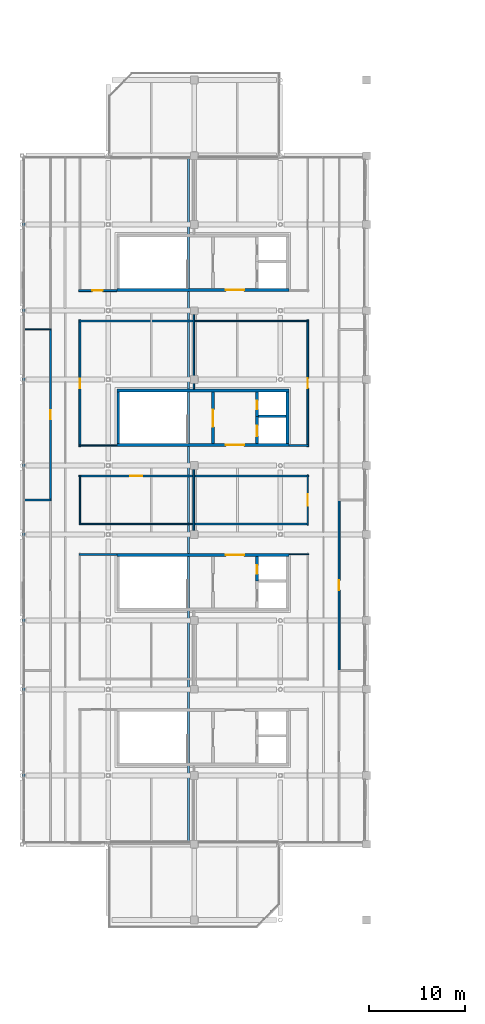
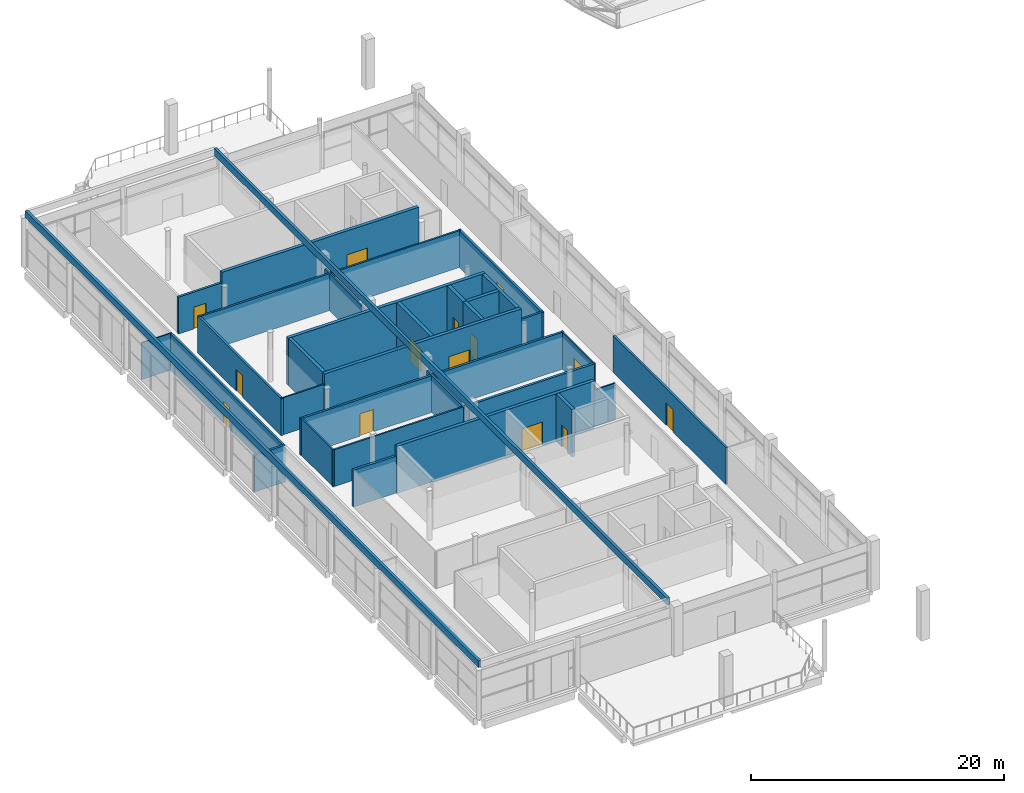
# One storey, part 104 of 114: 34 walls, 14 doors, 14 openings.
"""IFC4 building model written with IfcOpenShell, lengths in metres."""

from ifc_helpers import new_model, si_unit, direction, frame, frame_2d, origin, place, context, subcontext, project, spatial, rectangle, extrude, material, layer, layer_set, type_object, element, fill, save


model = new_model("IFC4")

# Units and contexts
model_context = context("Model", 3, precision=1e-05, world=origin(), true_north=direction((0.0, 1.0)))
body_context = subcontext(model_context, "Body", "Model", "MODEL_VIEW")
ifc_project = project(units=[si_unit("LENGTHUNIT", "METRE"), si_unit("AREAUNIT", "SQUARE_METRE"), si_unit("VOLUMEUNIT", "CUBIC_METRE"), si_unit("PLANEANGLEUNIT", "RADIAN"), si_unit("MASSUNIT", "GRAM", prefix="KILO"), si_unit("THERMODYNAMICTEMPERATUREUNIT", "KELVIN"), si_unit("POWERUNIT", "WATT")], contexts=[model_context])

# Site, building, storey
site_placement = place(None, origin())
site = spatial("IfcSite", under=ifc_project, at=site_placement, CompositionType="ELEMENT")
building_placement = place(site_placement, origin())
building = spatial("IfcBuilding", under=site, at=building_placement, Name="Sindhuravela Promenade Stadium", CompositionType="ELEMENT")
storey_placement = place(building_placement, frame((0.0, 0.0, 24.0)))
storey = spatial("IfcBuildingStorey", under=building, at=storey_placement, Name="L05", CompositionType="ELEMENT", Elevation=24.0)

# Walls
ifc_material_1 = material(Name="Dholpur sandstone ashlar (45 MPa)", Category="masonry")
ifc_layer_1 = layer(ifc_material_1, 0.25)
ifc_layer_set_1 = layer_set([ifc_layer_1], Name="Dholpur sandstone ashlar (45 MPa)")
wall_type_1 = type_object("IfcWallType", Name="EX-WL-PAR250", PredefinedType="PARAPET", material=ifc_layer_set_1)
for number, where, z_axis, x_axis, name in (
    (1, (0.159912109375, 45.159912109375, 4.800048828125), (0.0, 0.0, 1.0), (0.0, 1.0, 0.0), "Maintenance roof parapet WEST 1"),
    (2, (17.389892578125, 116.840087890625, 4.800048828125), (0.0, 0.0, 1.0), (0.0, -1.0, 0.0), "Maintenance roof parapet WEST 3"),
):
    element("IfcWall", number, at=place(storey_placement, frame(where, z_axis=z_axis, x_axis=x_axis)), inside=storey, type_object=wall_type_1, Name=name, PredefinedType="PARAPET", context=body_context, shape_type="SweptSolid", body=[
        extrude(rectangle(XDim=71.68017578125, YDim=0.25, at=frame_2d((35.840087890625, 0.0))), origin(), (0.0, 0.0, 1.0), 0.64990234375),
    ])
ifc_material_2 = material(Name="Fire-rated gypsum partition board", Category="gypsum")
ifc_layer_2 = layer(ifc_material_2, 0.110107421875)
ifc_layer_set_2 = layer_set([ifc_layer_2], Name="Fire-rated gypsum partition board")
wall_type_2 = type_object("IfcWallType", Name="IN-WL-PAR110", PredefinedType="PARTITIONING", material=ifc_layer_set_2)
wall_1_placement = place(storey_placement, frame((27.902099609375, 75.31005859375, 0.0), z_axis=(0.0, 0.0, 1.0), x_axis=(1.0, 0.0, 0.0)))
element("IfcWall", 3, at=wall_1_placement, inside=storey, type_object=wall_type_2, Name="Interior partition IW06 WEST L05", PredefinedType="PARTITIONING", context=body_context, shape_type="SweptSolid", body=[
    extrude(rectangle(XDim=2.037841796875, YDim=0.110107421875, at=frame_2d((1.01904296875, 0.0))), origin(), (0.0, 0.0, 1.0), 3.56005859375),
])

# Wall, opening, door
wall_2_placement = place(storey_placement, frame((29.860107421875, 78.3701171875, 0.0), z_axis=(0.0, 0.0, 1.0), x_axis=(0.0, 1.0, 0.0)))
wall_2 = element("IfcWall", 4, at=wall_2_placement, inside=storey, type_object=wall_type_2, Name="Corridor partition IW06 Accessible WC West L05", PredefinedType="PARTITIONING", context=body_context, shape_type="SweptSolid", body=[
    extrude(rectangle(XDim=5.259765625, YDim=0.110107421875, at=frame_2d((2.6298828125, 0.0))), origin(), (0.0, 0.0, 1.0), 3.56005859375),
])
opening_1_placement = place(wall_2_placement, frame((2.054931640625, 0.0, 0.0)))
opening_1 = element("IfcOpeningElement", 5, at=opening_1_placement, cuts=wall_2, Name="Opening ID05", PredefinedType="OPENING", context=body_context, shape_type="SweptSolid", body=[
    extrude(rectangle(XDim=1.14990234375, YDim=2.14990234375, at=frame_2d((0.574951171875, 1.074951171875))), frame((0.0, 0.06494140625, 0.0), z_axis=(0.0, -1.0, 0.0), x_axis=(1.0, 0.0, 0.0)), (0.0, 0.0, 1.0), 0.130126953125),
])
ifc_material_3 = material(Name="Architectural teak timber leaf", Category="wood")
door_type_1 = type_object("IfcDoorType", Name="DR-INT-1150x2150", OperationType="NOTDEFINED", PredefinedType="DOOR", material=ifc_material_3)
door_1_placement = place(opening_1_placement, origin())
door_1 = element("IfcDoor", 6, at=door_1_placement, inside=storey, type_object=door_type_1, Name="Accessible WC West L05 door", OperationType="SINGLE_SWING_LEFT", OverallHeight=2.14990234375, OverallWidth=1.14990234375, PredefinedType="DOOR", context=body_context, shape_type="SweptSolid", body=[
    extrude(rectangle(XDim=1.14990234375, YDim=2.14990234375, at=frame_2d((0.574951171875, 1.074951171875))), frame((0.0, 0.02490234375, 0.0), z_axis=(0.0, -1.0, 0.0), x_axis=(1.0, 0.0, 0.0)), (0.0, 0.0, 1.0), 0.050048828125),
])
fill(opening_1, door_1)

# Walls
wall_3_placement = place(storey_placement, frame((3.0400390625, 98.840087890625, 0.0), z_axis=(0.0, 0.0, 1.0), x_axis=(-1.0, 0.0, 0.0)))
element("IfcWall", 7, at=wall_3_placement, inside=storey, type_object=wall_type_2, Name="Interior partition IW06 WEST L05", PredefinedType="PARTITIONING", context=body_context, shape_type="SweptSolid", body=[
    extrude(rectangle(XDim=2.80712890625, YDim=0.110107421875, at=frame_2d((1.403564453125, 0.0))), origin(), (0.0, 0.0, 1.0), 3.56005859375),
])
ifc_layer_3 = layer(ifc_material_2, 0.1298828125)
ifc_layer_set_3 = layer_set([ifc_layer_3], Name="Fire-rated gypsum partition board")
wall_type_3 = type_object("IfcWallType", Name="IN-WL-PAR130", PredefinedType="PARTITIONING", material=ifc_layer_set_3)
wall_4_placement = place(storey_placement, frame((9.89794921875, 86.68994140625, 0.0), z_axis=(0.0, 0.0, 1.0), x_axis=(-1.0, 0.0, 0.0)))
element("IfcWall", 8, at=wall_4_placement, inside=storey, type_object=wall_type_3, Name="Interior partition IW05 WEST L05", PredefinedType="PARTITIONING", context=body_context, shape_type="SweptSolid", body=[
    extrude(rectangle(XDim=3.93798828125, YDim=0.1298828125, at=frame_2d((1.968994140625, 0.0))), origin(), (0.0, 0.0, 1.0), 3.56005859375),
])
wall_5_placement = place(storey_placement, frame((6.0400390625, 78.409912109375, 0.0), z_axis=(0.0, 0.0, 1.0), x_axis=(0.0, 1.0, 0.0)))
element("IfcWall", 9, at=wall_5_placement, inside=storey, type_object=wall_type_3, Name="Interior partition IW05 WEST L05", PredefinedType="PARTITIONING", context=body_context, shape_type="SweptSolid", body=[
    extrude(rectangle(XDim=5.18017578125, YDim=0.1298828125, at=frame_2d((2.590087890625, 0.0))), origin(), (0.0, 0.0, 1.0), 3.56005859375),
])
ifc_layer_4 = layer(ifc_material_2, 0.14990234375)
ifc_layer_set_4 = layer_set([ifc_layer_4], Name="Fire-rated gypsum partition board")
wall_type_4 = type_object("IfcWallType", Name="IN-WL-PAR150", PredefinedType="PARTITIONING", material=ifc_layer_set_4)
wall_6_placement = place(storey_placement, frame((17.949951171875, 100.39794921875, 0.0), z_axis=(0.0, 0.0, 1.0), x_axis=(0.0, -1.0, 0.0)))
element("IfcWall", 10, at=wall_6_placement, inside=storey, type_object=wall_type_4, Name="Interior partition IW04 WEST L05", PredefinedType="PARTITIONING", context=body_context, shape_type="SweptSolid", body=[
    extrude(rectangle(XDim=7.7958984375, YDim=0.14990234375, at=frame_2d((3.89794921875, 0.0))), origin(), (0.0, 0.0, 1.0), 3.56005859375),
])
for number, where, z_axis, x_axis, name in (
    (11, (17.989990234375, 99.7099609375, 0.0), (0.0, 0.0, 1.0), (1.0, 0.0, 0.0), "Interior partition IW04 WEST L05"),
    (12, (17.909912109375, 78.489990234375, 0.0), (0.0, 0.0, 1.0), (-1.0, 0.0, 0.0), "Interior partition IW04 WEST L05"),
):
    element("IfcWall", number, at=place(storey_placement, frame(where, z_axis=z_axis, x_axis=x_axis)), inside=storey, type_object=wall_type_4, Name=name, PredefinedType="PARTITIONING", context=body_context, shape_type="SweptSolid", body=[
        extrude(rectangle(XDim=11.949951171875, YDim=0.14990234375, at=frame_2d((5.97509765625, 0.0))), origin(), (0.0, 0.0, 1.0), 3.56005859375),
    ])
ifc_layer_5 = layer(ifc_material_2, 0.175048828125)
ifc_layer_set_5 = layer_set([ifc_layer_5], Name="Fire-rated gypsum partition board")
wall_type_5 = type_object("IfcWallType", Name="IN-WL-PAR175", PredefinedType="PARTITIONING", material=ifc_layer_set_5)
wall_7_placement = place(storey_placement, frame((5.9599609375, 99.7099609375, 0.0), z_axis=(0.0, 0.0, 1.0), x_axis=(1.0, 0.0, 0.0)))
element("IfcWall", 13, at=wall_7_placement, inside=storey, type_object=wall_type_5, Name="Interior partition IW03 WEST L05", PredefinedType="PARTITIONING", context=body_context, shape_type="SweptSolid", body=[
    extrude(rectangle(XDim=11.949951171875, YDim=0.175048828125, at=frame_2d((5.97509765625, 0.0))), origin(), (0.0, 0.0, 1.0), 3.56005859375),
])
wall_8_placement = place(storey_placement, frame((29.93994140625, 86.68994140625, 0.0), z_axis=(0.0, 0.0, 1.0), x_axis=(-1.0, 0.0, 0.0)))
element("IfcWall", 14, at=wall_8_placement, inside=storey, type_object=wall_type_5, Name="Interior partition IW03 WEST L05", PredefinedType="PARTITIONING", context=body_context, shape_type="SweptSolid", body=[
    extrude(rectangle(XDim=2.037841796875, YDim=0.175048828125, at=frame_2d((1.01904296875, 0.0))), origin(), (0.0, 0.0, 1.0), 3.56005859375),
])
wall_9_placement = place(storey_placement, frame((17.949951171875, 84.197998046875, 0.0), z_axis=(0.0, 0.0, 1.0), x_axis=(0.0, -1.0, 0.0)))
element("IfcWall", 15, at=wall_9_placement, inside=storey, type_object=wall_type_5, Name="Interior partition IW03 WEST L05", PredefinedType="PARTITIONING", context=body_context, shape_type="SweptSolid", body=[
    extrude(rectangle(XDim=6.39599609375, YDim=0.175048828125, at=frame_2d((3.197998046875, 0.0))), origin(), (0.0, 0.0, 1.0), 3.56005859375),
])

# Wall, opening, door
wall_10_placement = place(storey_placement, frame((2.9599609375, 81.0, 0.0), z_axis=(0.0, 0.0, 1.0), x_axis=(0.0, 1.0, 0.0)))
wall_10 = element("IfcWall", 16, at=wall_10_placement, inside=storey, type_object=wall_type_5, Name="Corridor partition IW03 Television Broadcast Studio B 5", PredefinedType="PARTITIONING", context=body_context, shape_type="SweptSolid", body=[
    extrude(rectangle(XDim=17.840087890625, YDim=0.175048828125, at=frame_2d((8.919921875, 0.0))), origin(), (0.0, 0.0, 1.0), 3.56005859375),
])
opening_2_placement = place(wall_10_placement, frame((8.445068359375, 0.0, 0.0)))
opening_2 = element("IfcOpeningElement", 17, at=opening_2_placement, cuts=wall_10, Name="Opening ID09", PredefinedType="OPENING", context=body_context, shape_type="SweptSolid", body=[
    extrude(rectangle(XDim=0.949951171875, YDim=2.10009765625, at=frame_2d((0.47509765625, 1.050048828125))), frame((0.0, 0.097412109375, 0.0), z_axis=(0.0, -1.0, 0.0), x_axis=(1.0, 0.0, 0.0)), (0.0, 0.0, 1.0), 0.195068359375),
])
door_type_2 = type_object("IfcDoorType", Name="DR-INT-950x2100", OperationType="NOTDEFINED", PredefinedType="DOOR", material=ifc_material_3)
door_2_placement = place(opening_2_placement, origin())
door_2 = element("IfcDoor", 18, at=door_2_placement, inside=storey, type_object=door_type_2, Name="Television Broadcast Studio B 5 door", OperationType="SINGLE_SWING_LEFT", OverallHeight=2.10009765625, OverallWidth=0.949951171875, PredefinedType="DOOR", context=body_context, shape_type="SweptSolid", body=[
    extrude(rectangle(XDim=0.949951171875, YDim=2.10009765625, at=frame_2d((0.47509765625, 1.050048828125))), frame((0.0, 0.02490234375, 0.0), z_axis=(0.0, -1.0, 0.0), x_axis=(1.0, 0.0, 0.0)), (0.0, 0.0, 1.0), 0.050048828125),
])
fill(opening_2, door_2)

ifc_layer_6 = layer(ifc_material_2, 0.195068359375)
ifc_layer_set_6 = layer_set([ifc_layer_6], Name="Fire-rated gypsum partition board")
wall_type_6 = type_object("IfcWallType", Name="IN-WL-PAR195", PredefinedType="PARTITIONING", material=ifc_layer_set_6)
wall_11_placement = place(storey_placement, frame((5.919921875, 102.889892578125, 0.0), z_axis=(0.0, 0.0, 1.0), x_axis=(1.0, 0.0, 0.0)))
wall_11 = element("IfcWall", 19, at=wall_11_placement, inside=storey, type_object=wall_type_6, Name="Corridor partition IW02 Tribune Fixed Seating L05", PredefinedType="PARTITIONING", context=body_context, shape_type="SweptSolid", body=[
    extrude(rectangle(XDim=3.97802734375, YDim=0.195068359375, at=frame_2d((1.989013671875, 0.0))), origin(), (0.0, 0.0, 1.0), 3.56005859375),
])
opening_3_placement = place(wall_11_placement, frame((1.39990234375, 0.0, 0.0)))
opening_3 = element("IfcOpeningElement", 20, at=opening_3_placement, cuts=wall_11, Name="Opening ID06", PredefinedType="OPENING", context=body_context, shape_type="SweptSolid", body=[
    extrude(rectangle(XDim=1.10009765625, YDim=2.10009765625, at=frame_2d((0.550048828125, 1.050048828125))), frame((0.0, 0.107421875, 0.0), z_axis=(0.0, -1.0, 0.0), x_axis=(1.0, 0.0, 0.0)), (0.0, 0.0, 1.0), 0.215087890625),
])
door_type_3 = type_object("IfcDoorType", Name="DR-INT-1100x2100", OperationType="NOTDEFINED", PredefinedType="DOOR", material=ifc_material_3)
door_3_placement = place(opening_3_placement, origin())
door_3 = element("IfcDoor", 21, at=door_3_placement, inside=storey, type_object=door_type_3, Name="Tribune Fixed Seating L05 door", OperationType="SINGLE_SWING_RIGHT", OverallHeight=2.10009765625, OverallWidth=1.10009765625, PredefinedType="DOOR", context=body_context, shape_type="SweptSolid", body=[
    extrude(rectangle(XDim=1.10009765625, YDim=2.10009765625, at=frame_2d((0.550048828125, 1.050048828125))), frame((0.0, 0.02490234375, 0.0), z_axis=(0.0, -1.0, 0.0), x_axis=(1.0, 0.0, 0.0)), (0.0, 0.0, 1.0), 0.050048828125),
])
fill(opening_3, door_3)

wall_12_placement = place(storey_placement, frame((6.0400390625, 99.830078125, 0.0), z_axis=(0.0, 0.0, 1.0), x_axis=(0.0, -1.0, 0.0)))
wall_12 = element("IfcWall", 22, at=wall_12_placement, inside=storey, type_object=wall_type_6, Name="Corridor partition IW02 Media Centre Workroom", PredefinedType="PARTITIONING", context=body_context, shape_type="SweptSolid", body=[
    extrude(rectangle(XDim=13.260009765625, YDim=0.195068359375, at=frame_2d((6.6298828125, 0.0))), origin(), (0.0, 0.0, 1.0), 3.56005859375),
])
opening_4_placement = place(wall_12_placement, frame((6.1298828125, 0.0, 0.0)))
opening_4 = element("IfcOpeningElement", 23, at=opening_4_placement, cuts=wall_12, Name="Opening ID08", PredefinedType="OPENING", context=body_context, shape_type="SweptSolid", body=[
    extrude(rectangle(XDim=1.0, YDim=2.10009765625, at=frame_2d((0.5, 1.050048828125))), frame((0.0, 0.107421875, 0.0), z_axis=(0.0, -1.0, 0.0), x_axis=(1.0, 0.0, 0.0)), (0.0, 0.0, 1.0), 0.215087890625),
])
door_type_4 = type_object("IfcDoorType", Name="DR-INT-1000x2100", OperationType="NOTDEFINED", PredefinedType="DOOR", material=ifc_material_3)
door_4_placement = place(opening_4_placement, origin())
door_4 = element("IfcDoor", 24, at=door_4_placement, inside=storey, type_object=door_type_4, Name="Media Centre Workroom door", OperationType="SINGLE_SWING_RIGHT", OverallHeight=2.10009765625, OverallWidth=1.0, PredefinedType="DOOR", context=body_context, shape_type="SweptSolid", body=[
    extrude(rectangle(XDim=1.0, YDim=2.10009765625, at=frame_2d((0.5, 1.050048828125))), frame((0.0, 0.02490234375, 0.0), z_axis=(0.0, -1.0, 0.0), x_axis=(1.0, 0.0, 0.0)), (0.0, 0.0, 1.0), 0.050048828125),
])
fill(opening_4, door_4)

wall_13_placement = place(storey_placement, frame((29.860107421875, 86.570068359375, 0.0), z_axis=(0.0, 0.0, 1.0), x_axis=(0.0, 1.0, 0.0)))
wall_13 = element("IfcWall", 25, at=wall_13_placement, inside=storey, type_object=wall_type_6, Name="Corridor partition IW02 Stadium Control and Security Room", PredefinedType="PARTITIONING", context=body_context, shape_type="SweptSolid", body=[
    extrude(rectangle(XDim=13.260009765625, YDim=0.195068359375, at=frame_2d((6.6298828125, 0.0))), origin(), (0.0, 0.0, 1.0), 3.56005859375),
])
opening_5_placement = place(wall_13_placement, frame((6.090087890625, 0.0, 0.0)))
opening_5 = element("IfcOpeningElement", 26, at=opening_5_placement, cuts=wall_13, Name="Opening ID12", PredefinedType="OPENING", context=body_context, shape_type="SweptSolid", body=[
    extrude(rectangle(XDim=1.080078125, YDim=2.179931640625, at=frame_2d((0.5400390625, 1.08984375))), frame((0.0, 0.107421875, 0.0), z_axis=(0.0, -1.0, 0.0), x_axis=(1.0, 0.0, 0.0)), (0.0, 0.0, 1.0), 0.215087890625),
])
door_type_5 = type_object("IfcDoorType", Name="DR-INT-1080x2180", OperationType="NOTDEFINED", PredefinedType="DOOR", material=ifc_material_3)
door_5_placement = place(opening_5_placement, origin())
door_5 = element("IfcDoor", 27, at=door_5_placement, inside=storey, type_object=door_type_5, Name="Stadium Control and Security Room door", OperationType="SINGLE_SWING_RIGHT", OverallHeight=2.179931640625, OverallWidth=1.080078125, PredefinedType="DOOR", context=body_context, shape_type="SweptSolid", body=[
    extrude(rectangle(XDim=1.080078125, YDim=2.179931640625, at=frame_2d((0.5400390625, 1.08984375))), frame((0.0, 0.02490234375, 0.0), z_axis=(0.0, -1.0, 0.0), x_axis=(1.0, 0.0, 0.0)), (0.0, 0.0, 1.0), 0.050048828125),
])
fill(opening_5, door_5)

wall_14_placement = place(storey_placement, frame((17.949951171875, 83.510009765625, 0.0), z_axis=(0.0, 0.0, 1.0), x_axis=(-1.0, 0.0, 0.0)))
wall_14 = element("IfcWall", 28, at=wall_14_placement, inside=storey, type_object=wall_type_6, Name="Corridor partition IW02 Media Dining Lounge", PredefinedType="PARTITIONING", context=body_context, shape_type="SweptSolid", body=[
    extrude(rectangle(XDim=12.030029296875, YDim=0.195068359375, at=frame_2d((6.01513671875, 0.0))), origin(), (0.0, 0.0, 1.0), 3.56005859375),
])
opening_6_placement = place(wall_14_placement, frame((5.389892578125, 0.0, 0.0)))
opening_6 = element("IfcOpeningElement", 29, at=opening_6_placement, cuts=wall_14, Name="Opening ID04", PredefinedType="OPENING", context=body_context, shape_type="SweptSolid", body=[
    extrude(rectangle(XDim=1.25, YDim=2.14990234375, at=frame_2d((0.625, 1.074951171875))), frame((0.0, 0.107421875, 0.0), z_axis=(0.0, -1.0, 0.0), x_axis=(1.0, 0.0, 0.0)), (0.0, 0.0, 1.0), 0.215087890625),
])
door_type_6 = type_object("IfcDoorType", Name="DR-INT-1250x2150", OperationType="NOTDEFINED", PredefinedType="DOOR", material=ifc_material_3)
door_6_placement = place(opening_6_placement, origin())
door_6 = element("IfcDoor", 30, at=door_6_placement, inside=storey, type_object=door_type_6, Name="Media Dining Lounge door", OperationType="SINGLE_SWING_RIGHT", OverallHeight=2.14990234375, OverallWidth=1.25, PredefinedType="DOOR", context=body_context, shape_type="SweptSolid", body=[
    extrude(rectangle(XDim=1.25, YDim=2.14990234375, at=frame_2d((0.625, 1.074951171875))), frame((0.0, 0.02490234375, 0.0), z_axis=(0.0, -1.0, 0.0), x_axis=(1.0, 0.0, 0.0)), (0.0, 0.0, 1.0), 0.050048828125),
])
fill(opening_6, door_6)

# Walls
wall_15_placement = place(storey_placement, frame((17.989990234375, 83.510009765625, 0.0), z_axis=(0.0, 0.0, 1.0), x_axis=(1.0, 0.0, 0.0)))
element("IfcWall", 31, at=wall_15_placement, inside=storey, type_object=wall_type_6, Name="Interior partition IW02 WEST L05", PredefinedType="PARTITIONING", context=body_context, shape_type="SweptSolid", body=[
    extrude(rectangle(XDim=11.949951171875, YDim=0.195068359375, at=frame_2d((5.97509765625, 0.0))), origin(), (0.0, 0.0, 1.0), 3.56005859375),
])
wall_16_placement = place(storey_placement, frame((0.239990234375, 81.0, 0.0), z_axis=(0.0, 0.0, 1.0), x_axis=(1.0, 0.0, 0.0)))
element("IfcWall", 32, at=wall_16_placement, inside=storey, type_object=wall_type_6, Name="Interior partition IW02 WEST L05", PredefinedType="PARTITIONING", context=body_context, shape_type="SweptSolid", body=[
    extrude(rectangle(XDim=2.800048828125, YDim=0.195068359375, at=frame_2d((1.39990234375, 0.0))), origin(), (0.0, 0.0, 1.0), 3.56005859375),
])

# Wall, opening, door
wall_17_placement = place(storey_placement, frame((33.139892578125, 81.0, 0.0), z_axis=(0.0, 0.0, 1.0), x_axis=(0.0, -1.0, 0.0)))
wall_17 = element("IfcWall", 33, at=wall_17_placement, inside=storey, type_object=wall_type_6, Name="Corridor partition IW02 Broadcast Technical Rack Room 8", PredefinedType="PARTITIONING", context=body_context, shape_type="SweptSolid", body=[
    extrude(rectangle(XDim=17.840087890625, YDim=0.195068359375, at=frame_2d((8.919921875, 0.0))), origin(), (0.0, 0.0, 1.0), 3.56005859375),
])
opening_7_placement = place(wall_17_placement, frame((8.3798828125, 0.0, 0.0)))
opening_7 = element("IfcOpeningElement", 34, at=opening_7_placement, cuts=wall_17, Name="Opening ID12", PredefinedType="OPENING", context=body_context, shape_type="SweptSolid", body=[
    extrude(rectangle(XDim=1.080078125, YDim=2.179931640625, at=frame_2d((0.5400390625, 1.08984375))), frame((0.0, 0.107421875, 0.0), z_axis=(0.0, -1.0, 0.0), x_axis=(1.0, 0.0, 0.0)), (0.0, 0.0, 1.0), 0.215087890625),
])
door_7_placement = place(opening_7_placement, origin())
door_7 = element("IfcDoor", 35, at=door_7_placement, inside=storey, type_object=door_type_5, Name="Broadcast Technical Rack Room 8 door", OperationType="SINGLE_SWING_RIGHT", OverallHeight=2.179931640625, OverallWidth=1.080078125, PredefinedType="DOOR", context=body_context, shape_type="SweptSolid", body=[
    extrude(rectangle(XDim=1.080078125, YDim=2.179931640625, at=frame_2d((0.5400390625, 1.08984375))), frame((0.0, 0.02490234375, 0.0), z_axis=(0.0, -1.0, 0.0), x_axis=(1.0, 0.0, 0.0)), (0.0, 0.0, 1.0), 0.050048828125),
])
fill(opening_7, door_7)

# Walls
ifc_layer_7 = layer(ifc_material_2, 0.219970703125)
ifc_layer_set_7 = layer_set([ifc_layer_7], Name="Fire-rated gypsum partition board")
wall_type_7 = type_object("IfcWallType", Name="IN-WL-PAR220", PredefinedType="PARTITIONING", material=ifc_layer_set_7)
wall_18_placement = place(storey_placement, frame((5.9599609375, 75.31005859375, 0.0), z_axis=(0.0, 0.0, 1.0), x_axis=(1.0, 0.0, 0.0)))
element("IfcWall", 36, at=wall_18_placement, inside=storey, type_object=wall_type_7, Name="Interior partition IW01 WEST L05", PredefinedType="PARTITIONING", context=body_context, shape_type="SweptSolid", body=[
    extrude(rectangle(XDim=3.93798828125, YDim=0.219970703125, at=frame_2d((1.968994140625, 0.0))), origin(), (0.0, 0.0, 1.0), 3.56005859375),
])
wall_19_placement = place(storey_placement, frame((29.93994140625, 78.489990234375, 0.0), z_axis=(0.0, 0.0, 1.0), x_axis=(-1.0, 0.0, 0.0)))
element("IfcWall", 37, at=wall_19_placement, inside=storey, type_object=wall_type_7, Name="Interior partition IW01 WEST L05", PredefinedType="PARTITIONING", context=body_context, shape_type="SweptSolid", body=[
    extrude(rectangle(XDim=11.949951171875, YDim=0.219970703125, at=frame_2d((5.97509765625, 0.0))), origin(), (0.0, 0.0, 1.0), 3.56005859375),
])

# Wall, opening, door
ifc_material_4 = material(Name="Concrete M50", Category="concrete")
ifc_layer_8 = layer(ifc_material_4, 0.300048828125)
ifc_layer_set_8 = layer_set([ifc_layer_8], Name="Concrete M50")
wall_type_8 = type_object("IfcWallType", Name="RC-SW-300", PredefinedType="SHEAR", material=ifc_layer_set_8)
wall_20_placement = place(storey_placement, frame((27.89990234375, 75.25, 0.0), z_axis=(0.0, 0.0, 1.0), x_axis=(-1.0, 0.0, 0.0)))
wall_20 = element("IfcWall", 38, at=wall_20_placement, inside=storey, type_object=wall_type_8, Name="Core shear wall C02-N (L05)", PredefinedType="SHEAR", context=body_context, shape_type="SweptSolid", body=[
    extrude(rectangle(XDim=18.0, YDim=0.300048828125, at=frame_2d((9.0, 0.0))), origin(), (0.0, 0.0, 1.0), 4.56005859375),
])
opening_8_placement = place(wall_20_placement, frame((4.699951171875, 0.0, 0.0)))
opening_8 = element("IfcOpeningElement", 39, at=opening_8_placement, cuts=wall_20, Name="Opening FD02", PredefinedType="OPENING", context=body_context, shape_type="SweptSolid", body=[
    extrude(rectangle(XDim=1.89990234375, YDim=2.25, at=frame_2d((0.949951171875, 1.125))), frame((0.0, 0.159912109375, 0.0), z_axis=(0.0, -1.0, 0.0), x_axis=(1.0, 0.0, 0.0)), (0.0, 0.0, 1.0), 0.320068359375),
])
ifc_material_5 = material(Name="Architectural wrought steel E350", Category="steel")
door_type_7 = type_object("IfcDoorType", Name="DR-LOB-1900x2250", OperationType="DOUBLE_DOOR_SINGLE_SWING", PredefinedType="DOOR", material=ifc_material_5)
door_8_placement = place(opening_8_placement, origin())
door_8 = element("IfcDoor", 40, at=door_8_placement, inside=storey, type_object=door_type_7, Name="Protected lobby entrance door C02 (L05)", OperationType="DOUBLE_DOOR_SINGLE_SWING", OverallHeight=2.25, OverallWidth=1.89990234375, PredefinedType="DOOR", context=body_context, shape_type="SweptSolid", body=[
    extrude(rectangle(XDim=1.89990234375, YDim=2.25, at=frame_2d((0.949951171875, 1.125))), frame((0.0, 0.02490234375, 0.0), z_axis=(0.0, -1.0, 0.0), x_axis=(1.0, 0.0, 0.0)), (0.0, 0.0, 1.0), 0.050048828125),
])
fill(opening_8, door_8)

wall_21_placement = place(storey_placement, frame((24.550048828125, 72.550048828125, 0.0), z_axis=(0.0, 0.0, 1.0), x_axis=(0.0, 1.0, 0.0)))
wall_21 = element("IfcWall", 41, at=wall_21_placement, inside=storey, type_object=wall_type_8, Name="Core shear wall C02-RSR (L05)", PredefinedType="SHEAR", context=body_context, shape_type="SweptSolid", body=[
    extrude(rectangle(XDim=2.550048828125, YDim=0.300048828125, at=frame_2d((1.27490234375, 0.0))), origin(), (0.0, 0.0, 1.0), 4.56005859375),
])
opening_9_placement = place(wall_21_placement, frame((0.72509765625, 0.0, 0.0)))
opening_9 = element("IfcOpeningElement", 42, at=opening_9_placement, cuts=wall_21, Name="Opening FD03", PredefinedType="OPENING", context=body_context, shape_type="SweptSolid", body=[
    extrude(rectangle(XDim=0.89990234375, YDim=2.10009765625, at=frame_2d((0.449951171875, 1.050048828125))), frame((0.0, 0.159912109375, 0.0), z_axis=(0.0, -1.0, 0.0), x_axis=(1.0, 0.0, 0.0)), (0.0, 0.0, 1.0), 0.320068359375),
])
door_type_8 = type_object("IfcDoorType", Name="DR-RSR-900x2100", OperationType="NOTDEFINED", PredefinedType="DOOR", material=ifc_material_5)
door_9_placement = place(opening_9_placement, origin())
door_9 = element("IfcDoor", 43, at=door_9_placement, inside=storey, type_object=door_type_8, Name="Riser shaft access door C02 (L05)", OperationType="SINGLE_SWING_RIGHT", OverallHeight=2.10009765625, OverallWidth=0.89990234375, PredefinedType="DOOR", context=body_context, shape_type="SweptSolid", body=[
    extrude(rectangle(XDim=0.89990234375, YDim=2.10009765625, at=frame_2d((0.449951171875, 1.050048828125))), frame((0.0, 0.02490234375, 0.0), z_axis=(0.0, -1.0, 0.0), x_axis=(1.0, 0.0, 0.0)), (0.0, 0.0, 1.0), 0.050048828125),
])
fill(opening_9, door_9)

wall_22_placement = place(storey_placement, frame((9.89990234375, 86.75, 0.0), z_axis=(0.0, 0.0, 1.0), x_axis=(1.0, 0.0, 0.0)))
wall_22 = element("IfcWall", 44, at=wall_22_placement, inside=storey, type_object=wall_type_8, Name="Core shear wall C03-S (L05)", PredefinedType="SHEAR", context=body_context, shape_type="SweptSolid", body=[
    extrude(rectangle(XDim=18.0, YDim=0.300048828125, at=frame_2d((9.0, 0.0))), origin(), (0.0, 0.0, 1.0), 4.56005859375),
])
opening_10_placement = place(wall_22_placement, frame((11.39990234375, 0.0, 0.0)))
opening_10 = element("IfcOpeningElement", 45, at=opening_10_placement, cuts=wall_22, Name="Opening FD02", PredefinedType="OPENING", context=body_context, shape_type="SweptSolid", body=[
    extrude(rectangle(XDim=1.89990234375, YDim=2.25, at=frame_2d((0.949951171875, 1.125))), frame((0.0, 0.159912109375, 0.0), z_axis=(0.0, -1.0, 0.0), x_axis=(1.0, 0.0, 0.0)), (0.0, 0.0, 1.0), 0.320068359375),
])
door_10_placement = place(opening_10_placement, origin())
door_10 = element("IfcDoor", 46, at=door_10_placement, inside=storey, type_object=door_type_7, Name="Protected lobby entrance door C03 (L05)", OperationType="DOUBLE_DOOR_SINGLE_SWING", OverallHeight=2.25, OverallWidth=1.89990234375, PredefinedType="DOOR", context=body_context, shape_type="SweptSolid", body=[
    extrude(rectangle(XDim=1.89990234375, YDim=2.25, at=frame_2d((0.949951171875, 1.125))), frame((0.0, 0.02490234375, 0.0), z_axis=(0.0, -1.0, 0.0), x_axis=(1.0, 0.0, 0.0)), (0.0, 0.0, 1.0), 0.050048828125),
])
fill(opening_10, door_10)

# Walls
wall_23_placement = place(storey_placement, frame((27.89990234375, 92.449951171875, 0.0), z_axis=(0.0, 0.0, 1.0), x_axis=(-1.0, 0.0, 0.0)))
element("IfcWall", 47, at=wall_23_placement, inside=storey, type_object=wall_type_8, Name="Core shear wall C03-N (L05)", PredefinedType="SHEAR", context=body_context, shape_type="SweptSolid", body=[
    extrude(rectangle(XDim=18.0, YDim=0.300048828125, at=frame_2d((9.0, 0.0))), origin(), (0.0, 0.0, 1.0), 4.56005859375),
])
for number, where, z_axis, x_axis, name in (
    (48, (10.050048828125, 92.300048828125, 0.0), (0.0, 0.0, 1.0), (0.0, -1.0, 0.0), "Core shear wall C03-W (L05)"),
    (49, (27.75, 86.89990234375, 0.0), (0.0, 0.0, 1.0), (0.0, 1.0, 0.0), "Core shear wall C03-E (L05)"),
):
    element("IfcWall", number, at=place(storey_placement, frame(where, z_axis=z_axis, x_axis=x_axis)), inside=storey, type_object=wall_type_8, Name=name, PredefinedType="SHEAR", context=body_context, shape_type="SweptSolid", body=[
        extrude(rectangle(XDim=5.400146484375, YDim=0.300048828125, at=frame_2d((2.7001953125, 0.0))), origin(), (0.0, 0.0, 1.0), 4.56005859375),
    ])

# Wall, opening, door
wall_24_placement = place(storey_placement, frame((19.949951171875, 86.89990234375, 0.0), z_axis=(0.0, 0.0, 1.0), x_axis=(0.0, 1.0, 0.0)))
wall_24 = element("IfcWall", 50, at=wall_24_placement, inside=storey, type_object=wall_type_8, Name="Core shear wall C03-ST (L05)", PredefinedType="SHEAR", context=body_context, shape_type="SweptSolid", body=[
    extrude(rectangle(XDim=5.400146484375, YDim=0.300048828125, at=frame_2d((2.7001953125, 0.0))), origin(), (0.0, 0.0, 1.0), 4.56005859375),
])
opening_11_placement = place(wall_24_placement, frame((1.75, 0.0, 0.0)))
opening_11 = element("IfcOpeningElement", 51, at=opening_11_placement, cuts=wall_24, Name="Opening FD01", PredefinedType="OPENING", context=body_context, shape_type="SweptSolid", body=[
    extrude(rectangle(XDim=1.800048828125, YDim=2.25, at=frame_2d((0.89990234375, 1.125))), frame((0.0, 0.159912109375, 0.0), z_axis=(0.0, -1.0, 0.0), x_axis=(1.0, 0.0, 0.0)), (0.0, 0.0, 1.0), 0.320068359375),
])
door_type_9 = type_object("IfcDoorType", Name="DR-CORE-1800x2250", OperationType="DOUBLE_DOOR_SINGLE_SWING", PredefinedType="DOOR", material=ifc_material_5)
door_11_placement = place(opening_11_placement, origin())
door_11 = element("IfcDoor", 52, at=door_11_placement, inside=storey, type_object=door_type_9, Name="Stair ST03 lobby fire door (L05)", OperationType="DOUBLE_DOOR_SINGLE_SWING", OverallHeight=2.25, OverallWidth=1.800048828125, PredefinedType="DOOR", context=body_context, shape_type="SweptSolid", body=[
    extrude(rectangle(XDim=1.800048828125, YDim=2.25, at=frame_2d((0.89990234375, 1.125))), frame((0.0, 0.02490234375, 0.0), z_axis=(0.0, -1.0, 0.0), x_axis=(1.0, 0.0, 0.0)), (0.0, 0.0, 1.0), 0.050048828125),
])
fill(opening_11, door_11)

wall_25_placement = place(storey_placement, frame((24.550048828125, 86.89990234375, 0.0), z_axis=(0.0, 0.0, 1.0), x_axis=(0.0, 1.0, 0.0)))
wall_25 = element("IfcWall", 53, at=wall_25_placement, inside=storey, type_object=wall_type_8, Name="Core shear wall C03-LFT (L05)", PredefinedType="SHEAR", context=body_context, shape_type="SweptSolid", body=[
    extrude(rectangle(XDim=2.85009765625, YDim=0.300048828125, at=frame_2d((1.425048828125, 0.0))), origin(), (0.0, 0.0, 1.0), 4.56005859375),
])
opening_12_placement = place(wall_25_placement, frame((0.77490234375, 0.0, 0.0)))
opening_12 = element("IfcOpeningElement", 54, at=opening_12_placement, cuts=wall_25, Name="Opening LD", PredefinedType="OPENING", context=body_context, shape_type="SweptSolid", body=[
    extrude(rectangle(XDim=1.10009765625, YDim=2.10009765625, at=frame_2d((0.550048828125, 1.050048828125))), frame((0.0, 0.159912109375, 0.0), z_axis=(0.0, -1.0, 0.0), x_axis=(1.0, 0.0, 0.0)), (0.0, 0.0, 1.0), 0.320068359375),
])
door_type_10 = type_object("IfcDoorType", Name="DR-LFT-1100x2100", OperationType="DOUBLE_DOOR_SLIDING", PredefinedType="DOOR", material=ifc_material_5)
door_12_placement = place(opening_12_placement, origin())
door_12 = element("IfcDoor", 55, at=door_12_placement, inside=storey, type_object=door_type_10, Name="Lift FL03 landing door (L05)", OperationType="DOUBLE_DOOR_SLIDING", OverallHeight=2.10009765625, OverallWidth=1.10009765625, PredefinedType="DOOR", context=body_context, shape_type="SweptSolid", body=[
    extrude(rectangle(XDim=1.10009765625, YDim=2.10009765625, at=frame_2d((0.550048828125, 1.050048828125))), frame((0.0, 0.02490234375, 0.0), z_axis=(0.0, -1.0, 0.0), x_axis=(1.0, 0.0, 0.0)), (0.0, 0.0, 1.0), 0.050048828125),
])
fill(opening_12, door_12)

wall_26_placement = place(storey_placement, frame((24.550048828125, 89.75, 0.0), z_axis=(0.0, 0.0, 1.0), x_axis=(0.0, 1.0, 0.0)))
wall_26 = element("IfcWall", 56, at=wall_26_placement, inside=storey, type_object=wall_type_8, Name="Core shear wall C03-RSR (L05)", PredefinedType="SHEAR", context=body_context, shape_type="SweptSolid", body=[
    extrude(rectangle(XDim=2.550048828125, YDim=0.300048828125, at=frame_2d((1.27490234375, 0.0))), origin(), (0.0, 0.0, 1.0), 4.56005859375),
])
opening_13_placement = place(wall_26_placement, frame((0.72509765625, 0.0, 0.0)))
opening_13 = element("IfcOpeningElement", 57, at=opening_13_placement, cuts=wall_26, Name="Opening FD03", PredefinedType="OPENING", context=body_context, shape_type="SweptSolid", body=[
    extrude(rectangle(XDim=0.89990234375, YDim=2.10009765625, at=frame_2d((0.449951171875, 1.050048828125))), frame((0.0, 0.159912109375, 0.0), z_axis=(0.0, -1.0, 0.0), x_axis=(1.0, 0.0, 0.0)), (0.0, 0.0, 1.0), 0.320068359375),
])
door_13_placement = place(opening_13_placement, origin())
door_13 = element("IfcDoor", 58, at=door_13_placement, inside=storey, type_object=door_type_8, Name="Riser shaft access door C03 (L05)", OperationType="SINGLE_SWING_RIGHT", OverallHeight=2.10009765625, OverallWidth=0.89990234375, PredefinedType="DOOR", context=body_context, shape_type="SweptSolid", body=[
    extrude(rectangle(XDim=0.89990234375, YDim=2.10009765625, at=frame_2d((0.449951171875, 1.050048828125))), frame((0.0, 0.02490234375, 0.0), z_axis=(0.0, -1.0, 0.0), x_axis=(1.0, 0.0, 0.0)), (0.0, 0.0, 1.0), 0.050048828125),
])
fill(opening_13, door_13)

# Wall
wall_27_placement = place(storey_placement, frame((24.699951171875, 89.75, 0.0), z_axis=(0.0, 0.0, 1.0), x_axis=(1.0, 0.0, 0.0)))
element("IfcWall", 59, at=wall_27_placement, inside=storey, type_object=wall_type_8, Name="Core shear wall C03-DIV (L05)", PredefinedType="SHEAR", context=body_context, shape_type="SweptSolid", body=[
    extrude(rectangle(XDim=2.900146484375, YDim=0.300048828125, at=frame_2d((1.4501953125, 0.0))), origin(), (0.0, 0.0, 1.0), 4.56005859375),
])

# Wall, opening, door
wall_28_placement = place(storey_placement, frame((9.89990234375, 102.949951171875, 0.0), z_axis=(0.0, 0.0, 1.0), x_axis=(1.0, 0.0, 0.0)))
wall_28 = element("IfcWall", 60, at=wall_28_placement, inside=storey, type_object=wall_type_8, Name="Core shear wall C04-S (L05)", PredefinedType="SHEAR", context=body_context, shape_type="SweptSolid", body=[
    extrude(rectangle(XDim=18.0, YDim=0.300048828125, at=frame_2d((9.0, 0.0))), origin(), (0.0, 0.0, 1.0), 4.56005859375),
])
opening_14_placement = place(wall_28_placement, frame((11.39990234375, 0.0, 0.0)))
opening_14 = element("IfcOpeningElement", 61, at=opening_14_placement, cuts=wall_28, Name="Opening FD02", PredefinedType="OPENING", context=body_context, shape_type="SweptSolid", body=[
    extrude(rectangle(XDim=1.89990234375, YDim=2.25, at=frame_2d((0.949951171875, 1.125))), frame((0.0, 0.159912109375, 0.0), z_axis=(0.0, -1.0, 0.0), x_axis=(1.0, 0.0, 0.0)), (0.0, 0.0, 1.0), 0.320068359375),
])
door_14_placement = place(opening_14_placement, origin())
door_14 = element("IfcDoor", 62, at=door_14_placement, inside=storey, type_object=door_type_7, Name="Protected lobby entrance door C04 (L05)", OperationType="DOUBLE_DOOR_SINGLE_SWING", OverallHeight=2.25, OverallWidth=1.89990234375, PredefinedType="DOOR", context=body_context, shape_type="SweptSolid", body=[
    extrude(rectangle(XDim=1.89990234375, YDim=2.25, at=frame_2d((0.949951171875, 1.125))), frame((0.0, 0.02490234375, 0.0), z_axis=(0.0, -1.0, 0.0), x_axis=(1.0, 0.0, 0.0)), (0.0, 0.0, 1.0), 0.050048828125),
])
fill(opening_14, door_14)

save(model, "model.ifc")
